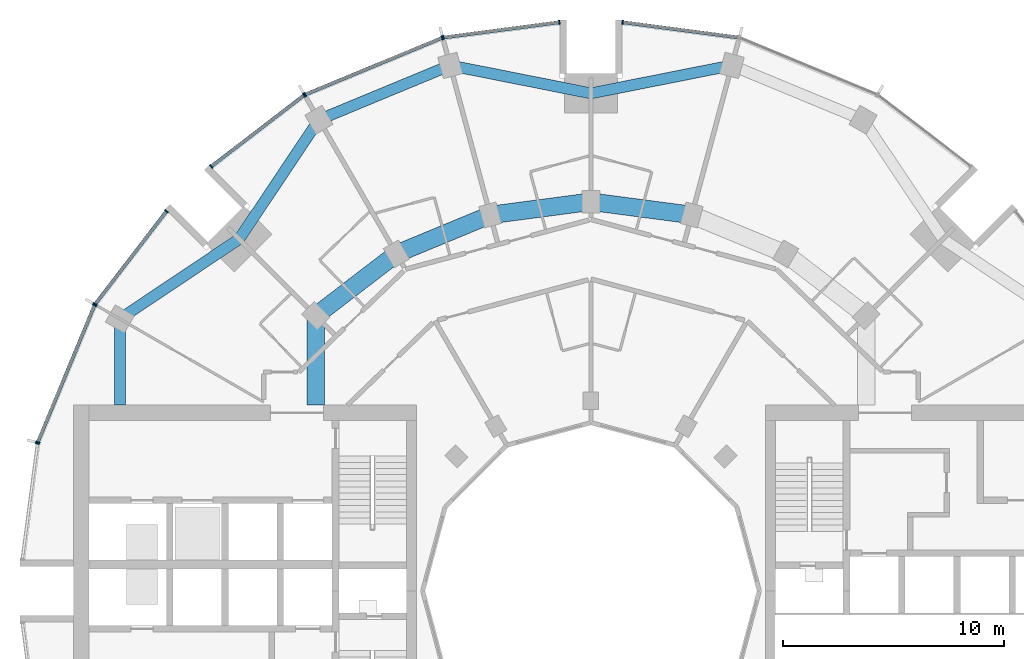
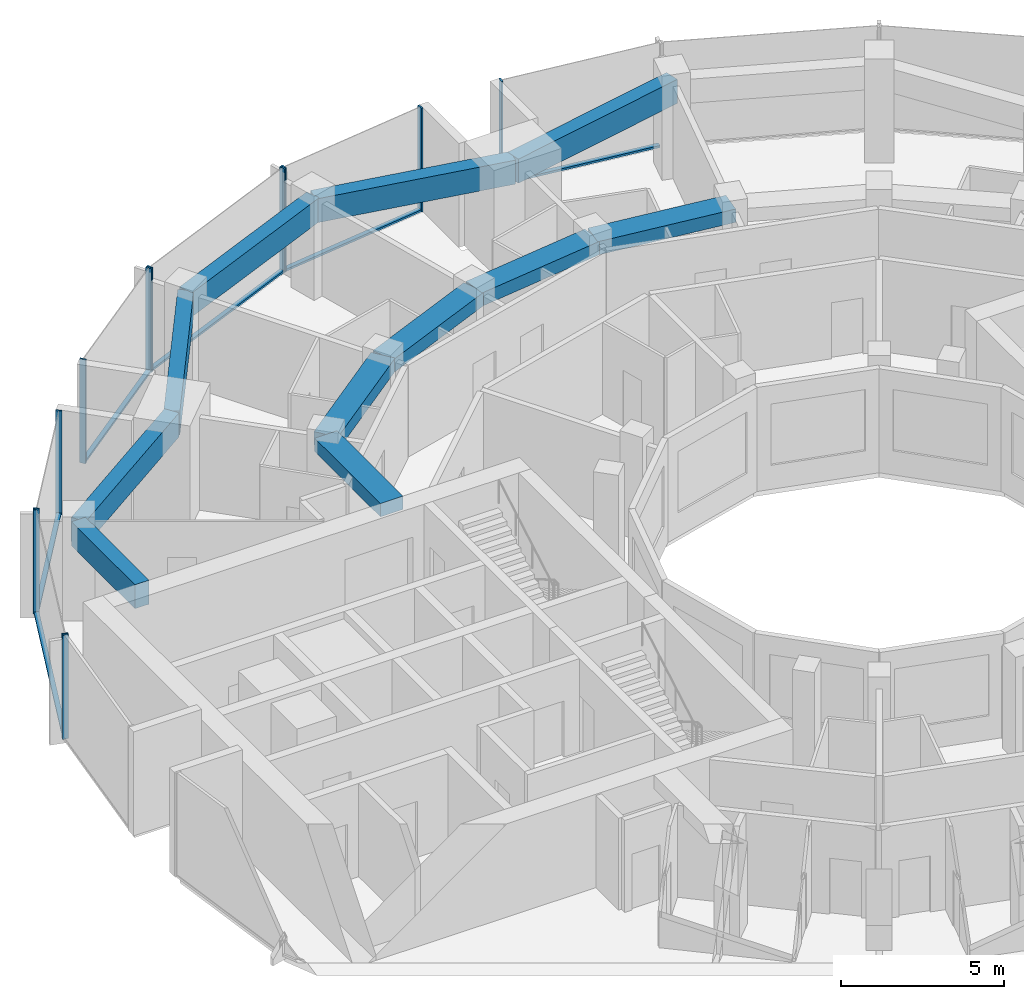
# One storey, part 5 of 15: 18 members, 11 beams, 7 elements without a shape of their own.
"""IFC4 building model written with IfcOpenShell, lengths in metres."""

from ifc_helpers import new_model, si_unit, direction, frame, origin, origin_2d, place, context, subcontext, project, spatial, rectangle, extrude, material, layer, layer_set, material_profile, profile_set, type_object, element, aggregate, save


model = new_model("IFC4")

# Units and contexts
model_context = context("Model", 3, precision=1e-05, world=origin(), true_north=direction((0.0, 1.0)))
body_context = subcontext(model_context, "Body", "Model", "MODEL_VIEW")
ifc_project = project(units=[si_unit("LENGTHUNIT", "METRE"), si_unit("AREAUNIT", "SQUARE_METRE"), si_unit("VOLUMEUNIT", "CUBIC_METRE"), si_unit("PLANEANGLEUNIT", "RADIAN"), si_unit("MASSUNIT", "GRAM", prefix="KILO")], contexts=[model_context])

# Site, building, storey
site_placement = place(None, origin())
site = spatial("IfcSite", under=ifc_project, at=site_placement, CompositionType="ELEMENT")
building_placement = place(site_placement, origin())
building = spatial("IfcBuilding", under=site, at=building_placement, Name="Torre Brocal", CompositionType="ELEMENT")
storey_placement = place(building_placement, frame((0.0, 0.0, 145.800048828125)))
storey = spatial("IfcBuildingStorey", under=building, at=storey_placement, Name="L34", CompositionType="ELEMENT", Elevation=145.800048828125)

# Curtain wall, member
ifc_material_1 = material(Name="Aluminium and glass", Category="aluminium")
ifc_layer_1 = layer(ifc_material_1, 0.199951171875)
ifc_layer_set_1 = layer_set([ifc_layer_1], Name="Aluminium and glass")
curtain_wall_type_1 = type_object("IfcCurtainWallType", Name="CW-1 CURTAIN WALL 3900 HIGH", PredefinedType="NOTDEFINED", material=ifc_layer_set_1)
curtain_wall_1_placement = place(storey_placement, origin())
curtain_wall_1 = element("IfcCurtainWall", 1, at=curtain_wall_1_placement, inside=storey, type_object=curtain_wall_type_1, Name="CW-1 RUN 6", PredefinedType="NOTDEFINED")
ifc_material_2 = material(Name="Aluminium, dark anodised", Category="aluminium")
ifc_material_profile_1 = material_profile(ifc_material_2, rectangle(XDim=0.199951171875, YDim=0.06005859375, at=origin_2d()), Name="CW-1 MULLION 60X200")
ifc_profile_set_1 = profile_set([ifc_material_profile_1], Name="Aluminium, dark anodised")
member_type_1 = type_object("IfcMemberType", Name="CW-1 MULLION 60X200", PredefinedType="MULLION", material=ifc_profile_set_1)
member_1_placement = place(storey_placement, frame((81.4296875, 100.7109375, 0.0), z_axis=(0.0, 0.0, 1.0), x_axis=(-0.13052619222, -0.991444861374, 0.0)))
member_1 = element("IfcMember", 2, at=member_1_placement, type_object=member_type_1, Name="CW1-3 mullion 2", PredefinedType="MULLION", context=body_context, shape_type="SweptSolid", body=[
    extrude(rectangle(XDim=0.199951171875, YDim=0.06005859375, at=origin_2d()), origin(), (0.0, 0.0, 1.0), 3.89990234375),
])

# Curtain wall, members
curtain_wall_2_placement = place(storey_placement, origin())
curtain_wall_2 = element("IfcCurtainWall", 3, at=curtain_wall_2_placement, inside=storey, type_object=curtain_wall_type_1, Name="CW-1 RUN 7", PredefinedType="NOTDEFINED")
member_2_placement = place(storey_placement, frame((78.5703125, 100.7109375, 0.0), z_axis=(0.0, 0.0, 1.0), x_axis=(0.13052619222, -0.991444861374, 0.0)))
member_2 = element("IfcMember", 4, at=member_2_placement, type_object=member_type_1, Name="CW1-3 mullion 1", PredefinedType="MULLION", context=body_context, shape_type="SweptSolid", body=[
    extrude(rectangle(XDim=0.199951171875, YDim=0.06005859375, at=origin_2d()), origin(), (0.0, 0.0, 1.0), 3.89990234375),
])
member_3_placement = place(storey_placement, frame((73.32666015625, 100.0205078125, 0.0), z_axis=(0.0, 0.0, 1.0), x_axis=(0.13052619222, -0.991444861374, 0.0)))
member_3 = element("IfcMember", 5, at=member_3_placement, type_object=member_type_1, Name="CW1-3 mullion 2", PredefinedType="MULLION", context=body_context, shape_type="SweptSolid", body=[
    extrude(rectangle(XDim=0.199951171875, YDim=0.06005859375, at=origin_2d()), origin(), (0.0, 0.0, 1.0), 3.89990234375),
])

curtain_wall_3_placement = place(storey_placement, origin())
curtain_wall_3 = element("IfcCurtainWall", 6, at=curtain_wall_3_placement, inside=storey, type_object=curtain_wall_type_1, Name="CW-1 RUN 8", PredefinedType="NOTDEFINED")
member_4_placement = place(storey_placement, frame((73.26904296875, 100.005126953125, 0.0), z_axis=(0.0, 0.0, 1.0), x_axis=(0.382683432333, -0.923879532525, 0.0)))
member_4 = element("IfcMember", 7, at=member_4_placement, type_object=member_type_1, Name="CW1-3 mullion 1", PredefinedType="MULLION", context=body_context, shape_type="SweptSolid", body=[
    extrude(rectangle(XDim=0.199951171875, YDim=0.06005859375, at=origin_2d()), origin(), (0.0, 0.0, 1.0), 3.89990234375),
])
member_5_placement = place(storey_placement, frame((67.078125, 97.440673828125, 0.0), z_axis=(0.0, 0.0, 1.0), x_axis=(0.382683432333, -0.923879532525, 0.0)))
member_5 = element("IfcMember", 8, at=member_5_placement, type_object=member_type_1, Name="CW1-3 mullion 2", PredefinedType="MULLION", context=body_context, shape_type="SweptSolid", body=[
    extrude(rectangle(XDim=0.199951171875, YDim=0.06005859375, at=origin_2d()), origin(), (0.0, 0.0, 1.0), 3.89990234375),
])

curtain_wall_4_placement = place(storey_placement, origin())
curtain_wall_4 = element("IfcCurtainWall", 9, at=curtain_wall_4_placement, inside=storey, type_object=curtain_wall_type_1, Name="CW-1 RUN 9", PredefinedType="NOTDEFINED")
member_6_placement = place(storey_placement, frame((67.026611328125, 97.4111328125, 0.0), z_axis=(0.0, 0.0, 1.0), x_axis=(0.60876142905, -0.793353340259, 0.0)))
member_6 = element("IfcMember", 10, at=member_6_placement, type_object=member_type_1, Name="CW1-3 mullion 1", PredefinedType="MULLION", context=body_context, shape_type="SweptSolid", body=[
    extrude(rectangle(XDim=0.199951171875, YDim=0.06005859375, at=origin_2d()), origin(), (0.0, 0.0, 1.0), 3.89990234375),
])
member_7_placement = place(storey_placement, frame((62.83056640625, 94.19140625, 0.0), z_axis=(0.0, 0.0, 1.0), x_axis=(0.60876142905, -0.793353340259, 0.0)))
member_7 = element("IfcMember", 11, at=member_7_placement, type_object=member_type_1, Name="CW1-3 mullion 2", PredefinedType="MULLION", context=body_context, shape_type="SweptSolid", body=[
    extrude(rectangle(XDim=0.199951171875, YDim=0.06005859375, at=origin_2d()), origin(), (0.0, 0.0, 1.0), 3.89990234375),
])

curtain_wall_5_placement = place(storey_placement, origin())
curtain_wall_5 = element("IfcCurtainWall", 12, at=curtain_wall_5_placement, inside=storey, type_object=curtain_wall_type_1, Name="CW-1 RUN 10", PredefinedType="NOTDEFINED")
member_8_placement = place(storey_placement, frame((60.80859375, 92.16943359375, 0.0), z_axis=(0.0, 0.0, 1.0), x_axis=(0.793353340259, -0.60876142905, 0.0)))
member_8 = element("IfcMember", 13, at=member_8_placement, type_object=member_type_1, Name="CW1-3 mullion 1", PredefinedType="MULLION", context=body_context, shape_type="SweptSolid", body=[
    extrude(rectangle(XDim=0.199951171875, YDim=0.06005859375, at=origin_2d()), origin(), (0.0, 0.0, 1.0), 3.89990234375),
])
member_9_placement = place(storey_placement, frame((57.5888671875, 87.973388671875, 0.0), z_axis=(0.0, 0.0, 1.0), x_axis=(0.793353340259, -0.60876142905, 0.0)))
member_9 = element("IfcMember", 14, at=member_9_placement, type_object=member_type_1, Name="CW1-3 mullion 2", PredefinedType="MULLION", context=body_context, shape_type="SweptSolid", body=[
    extrude(rectangle(XDim=0.199951171875, YDim=0.06005859375, at=origin_2d()), origin(), (0.0, 0.0, 1.0), 3.89990234375),
])

curtain_wall_6_placement = place(storey_placement, origin())
curtain_wall_6 = element("IfcCurtainWall", 15, at=curtain_wall_6_placement, inside=storey, type_object=curtain_wall_type_1, Name="CW-1 RUN 11", PredefinedType="NOTDEFINED")
member_10_placement = place(storey_placement, frame((57.559326171875, 87.921875, 0.0), z_axis=(0.0, 0.0, 1.0), x_axis=(0.923879532525, -0.382683432333, 0.0)))
member_10 = element("IfcMember", 16, at=member_10_placement, type_object=member_type_1, Name="CW1-3 mullion 1", PredefinedType="MULLION", context=body_context, shape_type="SweptSolid", body=[
    extrude(rectangle(XDim=0.199951171875, YDim=0.06005859375, at=origin_2d()), origin(), (0.0, 0.0, 1.0), 3.89990234375),
])
member_11_placement = place(storey_placement, frame((54.994873046875, 81.73095703125, 0.0), z_axis=(0.0, 0.0, 1.0), x_axis=(0.923879532525, -0.382683432333, 0.0)))
member_11 = element("IfcMember", 17, at=member_11_placement, type_object=member_type_1, Name="CW1-3 mullion 2", PredefinedType="MULLION", context=body_context, shape_type="SweptSolid", body=[
    extrude(rectangle(XDim=0.199951171875, YDim=0.06005859375, at=origin_2d()), origin(), (0.0, 0.0, 1.0), 3.89990234375),
])

# Member
ifc_material_3 = material(Name="Aluminium, dark anodised", Category="aluminium")
ifc_material_profile_2 = material_profile(ifc_material_3, rectangle(XDim=0.159912109375, YDim=0.080078125, at=origin_2d()), Name="CW-1 TRANSOM 160X80")
ifc_profile_set_2 = profile_set([ifc_material_profile_2], Name="Aluminium, dark anodised")
member_type_2 = type_object("IfcMemberType", Name="CW-1 TRANSOM 160X80", PredefinedType="USERDEFINED", material=ifc_profile_set_2)
member_12_placement = place(storey_placement, frame((86.643798828125, 100.0244140625, 0.0400390625), z_axis=(-0.991442690863, 0.130542677827, 0.0), x_axis=(-0.130542677827, -0.991442690863, 0.0)))
member_12 = element("IfcMember", 18, at=member_12_placement, type_object=member_type_2, Name="CW1-3 transom 1.1", ObjectType="TRANSOM", PredefinedType="USERDEFINED", context=body_context, shape_type="SweptSolid", body=[
    extrude(rectangle(XDim=0.159912109375, YDim=0.080078125, at=origin_2d()), origin(), (0.0, 0.0, 1.0), 5.22900390625),
])

aggregate(curtain_wall_1, [member_1, member_12])

member_13_placement = place(storey_placement, frame((78.54052734375, 100.70703125, 0.0400390625), z_axis=(-0.991442690863, -0.130542677827, 0.0), x_axis=(0.130542677827, -0.991442690863, 0.0)))
member_13 = element("IfcMember", 19, at=member_13_placement, type_object=member_type_2, Name="CW1-3 transom 1.1", ObjectType="TRANSOM", PredefinedType="USERDEFINED", context=body_context, shape_type="SweptSolid", body=[
    extrude(rectangle(XDim=0.159912109375, YDim=0.080078125, at=origin_2d()), origin(), (0.0, 0.0, 1.0), 5.22900390625),
])

aggregate(curtain_wall_2, [member_2, member_3, member_13])

member_14_placement = place(storey_placement, frame((73.241455078125, 99.99365234375, 0.0400390625), z_axis=(-0.923887344364, -0.38266457234, 0.0), x_axis=(0.38266457234, -0.923887344364, 0.0)))
member_14 = element("IfcMember", 20, at=member_14_placement, type_object=member_type_2, Name="CW1-3 transom 1.1", ObjectType="TRANSOM", PredefinedType="USERDEFINED", context=body_context, shape_type="SweptSolid", body=[
    extrude(rectangle(XDim=0.159912109375, YDim=0.080078125, at=origin_2d()), origin(), (0.0, 0.0, 1.0), 6.640869140625),
])

aggregate(curtain_wall_3, [member_4, member_5, member_14])

member_15_placement = place(storey_placement, frame((67.0029296875, 97.392822265625, 0.0400390625), z_axis=(-0.79336281513, -0.60874908096, 0.0), x_axis=(0.60874908096, -0.79336281513, 0.0)))
member_15 = element("IfcMember", 21, at=member_15_placement, type_object=member_type_2, Name="CW1-3 transom 1.1", ObjectType="TRANSOM", PredefinedType="USERDEFINED", context=body_context, shape_type="SweptSolid", body=[
    extrude(rectangle(XDim=0.159912109375, YDim=0.080078125, at=origin_2d()), origin(), (0.0, 0.0, 1.0), 5.22900390625),
])

aggregate(curtain_wall_4, [member_6, member_7, member_15])

member_16_placement = place(storey_placement, frame((60.790283203125, 92.1455078125, 0.0400390625), z_axis=(-0.60874908096, -0.79336281513, 0.0), x_axis=(0.79336281513, -0.60874908096, 0.0)))
member_16 = element("IfcMember", 22, at=member_16_placement, type_object=member_type_2, Name="CW1-3 transom 1.1", ObjectType="TRANSOM", PredefinedType="USERDEFINED", context=body_context, shape_type="SweptSolid", body=[
    extrude(rectangle(XDim=0.159912109375, YDim=0.080078125, at=origin_2d()), origin(), (0.0, 0.0, 1.0), 5.22900390625),
])

aggregate(curtain_wall_5, [member_8, member_9, member_16])

member_17_placement = place(storey_placement, frame((57.547607421875, 87.89404296875, 0.0400390625), z_axis=(-0.38266457234, -0.923887344364, 0.0), x_axis=(0.923887344364, -0.38266457234, 0.0)))
member_17 = element("IfcMember", 23, at=member_17_placement, type_object=member_type_2, Name="CW1-3 transom 1.1", ObjectType="TRANSOM", PredefinedType="USERDEFINED", context=body_context, shape_type="SweptSolid", body=[
    extrude(rectangle(XDim=0.159912109375, YDim=0.080078125, at=origin_2d()), origin(), (0.0, 0.0, 1.0), 6.640869140625),
])

aggregate(curtain_wall_6, [member_10, member_11, member_17])

# Curtain wall, member
ifc_material_4 = material(Name="Aluminium and glass", Category="aluminium")
ifc_layer_2 = layer(ifc_material_4, 0.199951171875)
ifc_layer_set_2 = layer_set([ifc_layer_2], Name="Aluminium and glass")
curtain_wall_type_2 = type_object("IfcCurtainWallType", Name="CW-1B CURTAIN WALL 3900 HIGH", PredefinedType="NOTDEFINED", material=ifc_layer_set_2)
curtain_wall_7_placement = place(storey_placement, origin())
curtain_wall_7 = element("IfcCurtainWall", 24, at=curtain_wall_7_placement, inside=storey, type_object=curtain_wall_type_2, Name="CW-1B RUN 12", PredefinedType="NOTDEFINED")
ifc_material_5 = material(Name="Aluminium, dark anodised", Category="aluminium")
ifc_material_profile_3 = material_profile(ifc_material_5, rectangle(XDim=0.199951171875, YDim=0.06005859375, at=origin_2d()), Name="CW-1B MULLION 60X200")
ifc_profile_set_3 = profile_set([ifc_material_profile_3], Name="Aluminium, dark anodised")
member_type_3 = type_object("IfcMemberType", Name="CW-1B MULLION 60X200", PredefinedType="MULLION", material=ifc_profile_set_3)
member_18_placement = place(storey_placement, frame((54.9794921875, 81.67333984375, 0.0), z_axis=(0.0, 0.0, 1.0), x_axis=(0.991444861374, -0.13052619222, 0.0)))
member_18 = element("IfcMember", 25, at=member_18_placement, type_object=member_type_3, Name="CW1B-3 mullion 1", PredefinedType="MULLION", context=body_context, shape_type="SweptSolid", body=[
    extrude(rectangle(XDim=0.199951171875, YDim=0.06005859375, at=origin_2d()), origin(), (0.0, 0.0, 1.0), 3.89990234375),
])
aggregate(curtain_wall_7, [member_18])

# Beams
ifc_material_6 = material(Name="Concrete C50", Category="concrete")
ifc_material_profile_4 = material_profile(ifc_material_6, rectangle(XDim=0.800048828125, YDim=0.5, at=origin_2d()), Name="RC 800X500")
ifc_profile_set_4 = profile_set([ifc_material_profile_4], Name="Concrete C50")
beam_type_1 = type_object("IfcBeamType", Name="RC BEAM 800X500 C50 TOP 3500", PredefinedType="BEAM", material=ifc_profile_set_4)
for number, where, z_axis, x_axis, name in (
    (26, (84.55517578125, 92.000244140625, 3.25), (-0.991440544449, 0.130558978332, 0.0), (-0.130558978332, -0.991440544449, 0.0), "Beam BT-30"),
    (27, (80.0, 92.60009765625, 3.25), (-0.991440544449, -0.130558978332, 0.0), (0.130558978332, -0.991440544449, 0.0), "Beam BT-30"),
):
    element("IfcBeam", number, at=place(storey_placement, frame(where, z_axis=z_axis, x_axis=x_axis)), inside=storey, type_object=beam_type_1, Name=name, PredefinedType="BEAM", context=body_context, shape_type="SweptSolid", body=[
        extrude(rectangle(XDim=0.800048828125, YDim=0.5, at=origin_2d()), origin(), (0.0, 0.0, 1.0), 4.594482421875),
    ])
beam_1_placement = place(storey_placement, frame((75.44482421875, 92.000244140625, 3.25), z_axis=(-0.923878240166, -0.382686552348, 0.0), x_axis=(0.382686552348, -0.923878240166, 0.0)))
element("IfcBeam", 28, at=beam_1_placement, inside=storey, type_object=beam_type_1, Name="Beam BT-30", PredefinedType="BEAM", context=body_context, shape_type="SweptSolid", body=[
    extrude(rectangle(XDim=0.800048828125, YDim=0.5, at=origin_2d()), origin(), (0.0, 0.0, 1.0), 4.5947265625),
])
beam_2_placement = place(storey_placement, frame((71.199951171875, 90.241943359375, 3.25), z_axis=(-0.793358265959, -0.6087550097, 0.0), x_axis=(0.6087550097, -0.793358265959, 0.0)))
element("IfcBeam", 29, at=beam_2_placement, inside=storey, type_object=beam_type_1, Name="Beam BT-30", PredefinedType="BEAM", context=body_context, shape_type="SweptSolid", body=[
    extrude(rectangle(XDim=0.800048828125, YDim=0.5, at=origin_2d()), origin(), (0.0, 0.0, 1.0), 4.594482421875),
])
beam_3_placement = place(storey_placement, frame((67.554931640625, 87.445068359375, 3.25), z_axis=(0.0, -1.0, 0.0), x_axis=(1.0, 0.0, 0.0)))
element("IfcBeam", 30, at=beam_3_placement, inside=storey, type_object=beam_type_1, Name="Beam BT-30", PredefinedType="BEAM", context=body_context, shape_type="SweptSolid", body=[
    extrude(rectangle(XDim=0.800048828125, YDim=0.5, at=origin_2d()), origin(), (0.0, 0.0, 1.0), 4.045166015625),
])
ifc_material_7 = material(Name="Concrete C50", Category="concrete")
ifc_material_profile_5 = material_profile(ifc_material_7, rectangle(XDim=0.5, YDim=0.89990234375, at=origin_2d()), Name="RC 500X900")
ifc_profile_set_5 = profile_set([ifc_material_profile_5], Name="Concrete C50")
beam_type_2 = type_object("IfcBeamType", Name="RC SPANDREL BEAM 500X900 C50 TOP 3500", PredefinedType="SPANDREL", material=ifc_profile_set_5)
for number, where, z_axis, x_axis, name in (
    (31, (86.366943359375, 98.76171875, 3.050048828125), (-0.980924907484, -0.194387051723, 0.0), (0.194387051723, -0.980924907484, 0.0), "Beam BT-31"),
    (32, (80.0, 97.5, 3.050048828125), (-0.980924907484, 0.194387051723, 0.0), (-0.194387051723, -0.980924907484, 0.0), "Beam BT-31"),
):
    element("IfcBeam", number, at=place(storey_placement, frame(where, z_axis=z_axis, x_axis=x_axis)), inside=storey, type_object=beam_type_2, Name=name, PredefinedType="SPANDREL", context=body_context, shape_type="SweptSolid", body=[
        extrude(rectangle(XDim=0.5, YDim=0.89990234375, at=origin_2d()), origin(), (0.0, 0.0, 1.0), 6.49072265625),
    ])
beam_4_placement = place(storey_placement, frame((73.633056640625, 98.76171875, 3.050048828125), z_axis=(-0.923882462513, -0.382676358639, 0.0), x_axis=(0.382676358639, -0.923882462513, 0.0)))
element("IfcBeam", 33, at=beam_4_placement, inside=storey, type_object=beam_type_2, Name="Beam BT-31", PredefinedType="SPANDREL", context=body_context, shape_type="SweptSolid", body=[
    extrude(rectangle(XDim=0.5, YDim=0.89990234375, at=origin_2d()), origin(), (0.0, 0.0, 1.0), 6.421875),
])
for number, where, z_axis, x_axis, name in (
    (34, (67.699951171875, 96.30419921875, 3.050048828125), (-0.556157602282, -0.831076844476, 0.0), (0.831076844476, -0.556157602282, 0.0), "Beam BT-31"),
    (35, (64.090087890625, 90.909912109375, 3.050048828125), (-0.831076844476, -0.556157602282, 0.0), (0.556157602282, -0.831076844476, 0.0), "Beam BT-31"),
):
    element("IfcBeam", number, at=place(storey_placement, frame(where, z_axis=z_axis, x_axis=x_axis)), inside=storey, type_object=beam_type_2, Name=name, PredefinedType="SPANDREL", context=body_context, shape_type="SweptSolid", body=[
        extrude(rectangle(XDim=0.5, YDim=0.89990234375, at=origin_2d()), origin(), (0.0, 0.0, 1.0), 6.49072265625),
    ])
beam_5_placement = place(storey_placement, frame((58.69580078125, 87.300048828125, 3.050048828125), z_axis=(0.0, -1.0, 0.0), x_axis=(1.0, 0.0, 0.0)))
element("IfcBeam", 36, at=beam_5_placement, inside=storey, type_object=beam_type_2, Name="Beam BT-31", PredefinedType="SPANDREL", context=body_context, shape_type="SweptSolid", body=[
    extrude(rectangle(XDim=0.5, YDim=0.89990234375, at=origin_2d()), origin(), (0.0, 0.0, 1.0), 3.900146484375),
])

save(model, "model.ifc")
